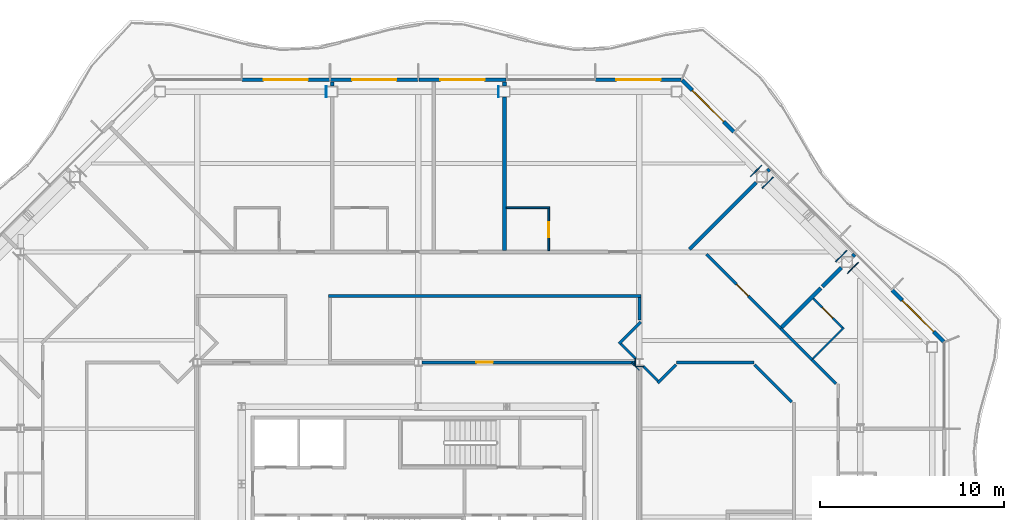
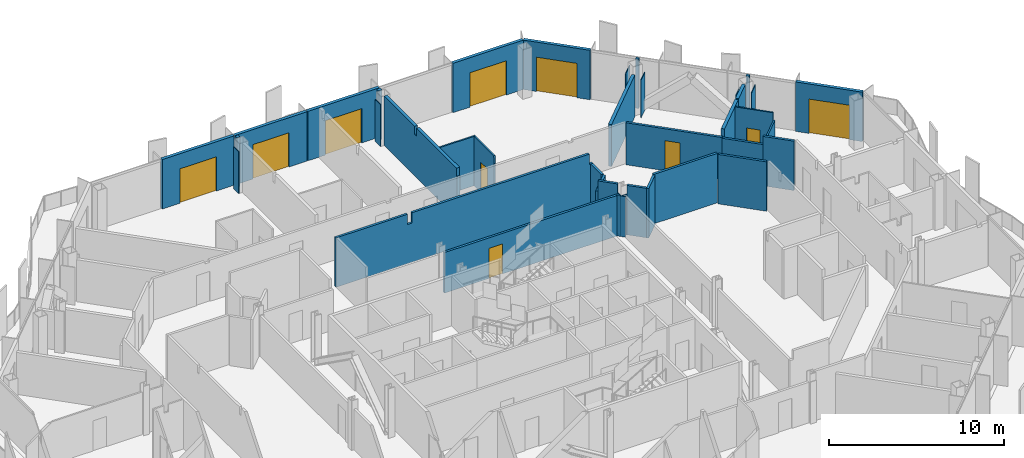
# One storey, part 13 of 21: 39 walls, 10 doors, 10 openings.
"""IFC4 building model written with IfcOpenShell, lengths in metres."""

from ifc_helpers import new_model, si_unit, direction, frame, frame_2d, origin, place, context, subcontext, project, spatial, polyline, rectangle, outline, extrude, material, layer, layer_set, type_object, element, fill, save


model = new_model("IFC4")

# Units and contexts
model_context = context("Model", 3, precision=1e-05, world=origin(), true_north=direction((0.0, 1.0)))
body_context = subcontext(model_context, "Body", "Model", "MODEL_VIEW")
ifc_project = project(units=[si_unit("LENGTHUNIT", "METRE"), si_unit("AREAUNIT", "SQUARE_METRE"), si_unit("VOLUMEUNIT", "CUBIC_METRE"), si_unit("PLANEANGLEUNIT", "RADIAN"), si_unit("MASSUNIT", "GRAM", prefix="KILO")], contexts=[model_context])

# Site, building, storey
site_placement = place(None, origin())
site = spatial("IfcSite", under=ifc_project, at=site_placement, CompositionType="ELEMENT")
building_placement = place(site_placement, origin())
building = spatial("IfcBuilding", under=site, at=building_placement, Name="Cairn Pilgrim Tower", CompositionType="ELEMENT")
storey_placement = place(building_placement, frame((0.0, 0.0, 157.800048828125)))
storey = spatial("IfcBuildingStorey", under=building, at=storey_placement, Name="L39", CompositionType="ELEMENT", Elevation=157.800048828125)

# Wall, opening, door
ifc_material_1 = material(Name="Bronze anodised aluminium insulated sandwich panel with mineral wool fill", Category="aluminium")
ifc_layer_1 = layer(ifc_material_1, 0.199951171875)
ifc_layer_set_1 = layer_set([ifc_layer_1], Name="BRONZE INFILL FRAME WALL 200")
wall_type_1 = type_object("IfcWallType", Name="BRONZE INFILL FRAME WALL 200", PredefinedType="NOTDEFINED", material=ifc_layer_set_1)
wall_1_placement = place(storey_placement, frame((35.7216796875, 14.32470703125, 0.0), z_axis=(0.0, 0.0, 1.0), x_axis=(-0.707106781187, 0.707106781187, 0.0)))
wall_1 = element("IfcWall", 1, at=wall_1_placement, inside=storey, type_object=wall_type_1, Name="Bronze infill frame wall IW-NE1", PredefinedType="NOTDEFINED", context=body_context, shape_type="SweptSolid", body=[
    extrude(rectangle(XDim=3.961669921875, YDim=0.199951171875, at=frame_2d((1.98095703125, 0.0))), origin(), (0.0, 0.0, 1.0), 3.449951171875),
])
opening_1_placement = place(wall_1_placement, frame((0.775390625, 0.0, 0.0)))
opening_1 = element("IfcOpeningElement", 2, at=opening_1_placement, cuts=wall_1, Name="Opening 3908B", PredefinedType="OPENING", context=body_context, shape_type="SweptSolid", body=[
    extrude(rectangle(XDim=2.39990234375, YDim=2.39990234375, at=frame_2d((1.199951171875, 1.199951171875))), frame((0.0, 0.10986328125, 0.0), z_axis=(0.0, -1.0, 0.0), x_axis=(1.0, 0.0, 0.0)), (0.0, 0.0, 1.0), 0.219970703125),
])
ifc_material_2 = material(Name="Bronze anodised aluminium frame with tinted low-E glass", Category="aluminium")
door_type_1 = type_object("IfcDoorType", Name="BALCONY SLIDING DOOR 2400x2400", OperationType="DOUBLE_DOOR_SLIDING", PredefinedType="DOOR", material=ifc_material_2)
door_1_placement = place(opening_1_placement, origin())
door_1 = element("IfcDoor", 3, at=door_1_placement, inside=storey, type_object=door_type_1, Name="Balcony sliding door 3908B", OperationType="SINGLE_SWING_LEFT", OverallHeight=2.39990234375, OverallWidth=2.39990234375, PredefinedType="DOOR", context=body_context, shape_type="SweptSolid", body=[
    extrude(rectangle(XDim=2.39990234375, YDim=2.39990234375, at=frame_2d((1.199951171875, 1.199951171875))), frame((0.0, 0.02490234375, 0.0), z_axis=(0.0, -1.0, 0.0), x_axis=(1.0, 0.0, 0.0)), (0.0, 0.0, 1.0), 0.050048828125),
])
fill(opening_1, door_1)

wall_2_placement = place(storey_placement, frame((24.325927734375, 25.720458984375, 0.0), z_axis=(0.0, 0.0, 1.0), x_axis=(-0.707106781187, 0.707106781187, 0.0)))
wall_2 = element("IfcWall", 4, at=wall_2_placement, inside=storey, type_object=wall_type_1, Name="Bronze infill frame wall IW-NE5", PredefinedType="NOTDEFINED", context=body_context, shape_type="SweptSolid", body=[
    extrude(rectangle(XDim=3.961669921875, YDim=0.199951171875, at=frame_2d((1.98095703125, 0.0))), origin(), (0.0, 0.0, 1.0), 3.449951171875),
])
opening_2_placement = place(wall_2_placement, frame((0.78564453125, 0.0, 0.0)))
opening_2 = element("IfcOpeningElement", 5, at=opening_2_placement, cuts=wall_2, Name="Opening 3910B", PredefinedType="OPENING", context=body_context, shape_type="SweptSolid", body=[
    extrude(rectangle(XDim=2.39990234375, YDim=2.39990234375, at=frame_2d((1.199951171875, 1.199951171875))), frame((0.0, 0.10986328125, 0.0), z_axis=(0.0, -1.0, 0.0), x_axis=(1.0, 0.0, 0.0)), (0.0, 0.0, 1.0), 0.219970703125),
])
door_2_placement = place(opening_2_placement, origin())
door_2 = element("IfcDoor", 6, at=door_2_placement, inside=storey, type_object=door_type_1, Name="Balcony sliding door 3910B", OperationType="SINGLE_SWING_LEFT", OverallHeight=2.39990234375, OverallWidth=2.39990234375, PredefinedType="DOOR", context=body_context, shape_type="SweptSolid", body=[
    extrude(rectangle(XDim=2.39990234375, YDim=2.39990234375, at=frame_2d((1.199951171875, 1.199951171875))), frame((0.0, 0.02490234375, 0.0), z_axis=(0.0, -1.0, 0.0), x_axis=(1.0, 0.0, 0.0)), (0.0, 0.0, 1.0), 0.050048828125),
])
fill(opening_2, door_2)

wall_3_placement = place(storey_placement, frame((21.45654296875, 28.550048828125, 0.0), z_axis=(0.0, 0.0, 1.0), x_axis=(-1.0, 0.0, 0.0)))
wall_3 = element("IfcWall", 7, at=wall_3_placement, inside=storey, type_object=wall_type_1, Name="Bronze infill frame wall IW-N1", PredefinedType="NOTDEFINED", context=body_context, shape_type="SweptSolid", body=[
    extrude(rectangle(XDim=4.62646484375, YDim=0.199951171875, at=frame_2d((2.313232421875, 0.0))), origin(), (0.0, 0.0, 1.0), 3.449951171875),
])
opening_3_placement = place(wall_3_placement, frame((1.1083984375, 0.0, 0.0)))
opening_3 = element("IfcOpeningElement", 8, at=opening_3_placement, cuts=wall_3, Name="Opening 3910B2", PredefinedType="OPENING", context=body_context, shape_type="SweptSolid", body=[
    extrude(rectangle(XDim=2.39990234375, YDim=2.39990234375, at=frame_2d((1.199951171875, 1.199951171875))), frame((0.0, 0.10986328125, 0.0), z_axis=(0.0, -1.0, 0.0), x_axis=(1.0, 0.0, 0.0)), (0.0, 0.0, 1.0), 0.219970703125),
])
door_3_placement = place(opening_3_placement, origin())
door_3 = element("IfcDoor", 9, at=door_3_placement, inside=storey, type_object=door_type_1, Name="Balcony sliding door 3910B2", OperationType="SINGLE_SWING_LEFT", OverallHeight=2.39990234375, OverallWidth=2.39990234375, PredefinedType="DOOR", context=body_context, shape_type="SweptSolid", body=[
    extrude(rectangle(XDim=2.39990234375, YDim=2.39990234375, at=frame_2d((1.199951171875, 1.199951171875))), frame((0.0, 0.02490234375, 0.0), z_axis=(0.0, -1.0, 0.0), x_axis=(1.0, 0.0, 0.0)), (0.0, 0.0, 1.0), 0.050048828125),
])
fill(opening_3, door_3)

wall_4_placement = place(storey_placement, frame((11.969970703125, 28.550048828125, 0.0), z_axis=(0.0, 0.0, 1.0), x_axis=(-1.0, 0.0, 0.0)))
wall_4 = element("IfcWall", 10, at=wall_4_placement, inside=storey, type_object=wall_type_1, Name="Bronze infill frame wall IW-N3", PredefinedType="NOTDEFINED", context=body_context, shape_type="SweptSolid", body=[
    extrude(rectangle(XDim=4.739990234375, YDim=0.199951171875, at=frame_2d((2.3701171875, 0.0))), origin(), (0.0, 0.0, 1.0), 3.449951171875),
])
opening_4_placement = place(wall_4_placement, frame((1.17041015625, 0.0, 0.0)))
opening_4 = element("IfcOpeningElement", 11, at=opening_4_placement, cuts=wall_4, Name="Opening 3911B", PredefinedType="OPENING", context=body_context, shape_type="SweptSolid", body=[
    extrude(rectangle(XDim=2.39990234375, YDim=2.39990234375, at=frame_2d((1.199951171875, 1.199951171875))), frame((0.0, 0.10986328125, 0.0), z_axis=(0.0, -1.0, 0.0), x_axis=(1.0, 0.0, 0.0)), (0.0, 0.0, 1.0), 0.219970703125),
])
door_4_placement = place(opening_4_placement, origin())
door_4 = element("IfcDoor", 12, at=door_4_placement, inside=storey, type_object=door_type_1, Name="Balcony sliding door 3911B", OperationType="SINGLE_SWING_LEFT", OverallHeight=2.39990234375, OverallWidth=2.39990234375, PredefinedType="DOOR", context=body_context, shape_type="SweptSolid", body=[
    extrude(rectangle(XDim=2.39990234375, YDim=2.39990234375, at=frame_2d((1.199951171875, 1.199951171875))), frame((0.0, 0.02490234375, 0.0), z_axis=(0.0, -1.0, 0.0), x_axis=(1.0, 0.0, 0.0)), (0.0, 0.0, 1.0), 0.050048828125),
])
fill(opening_4, door_4)

wall_5_placement = place(storey_placement, frame((7.169921875, 28.550048828125, 0.0), z_axis=(0.0, 0.0, 1.0), x_axis=(-1.0, 0.0, 0.0)))
wall_5 = element("IfcWall", 13, at=wall_5_placement, inside=storey, type_object=wall_type_1, Name="Bronze infill frame wall IW-N4", PredefinedType="NOTDEFINED", context=body_context, shape_type="SweptSolid", body=[
    extrude(rectangle(XDim=4.739990234375, YDim=0.199951171875, at=frame_2d((2.3701171875, 0.0))), origin(), (0.0, 0.0, 1.0), 3.449951171875),
])
opening_5_placement = place(wall_5_placement, frame((1.17041015625, 0.0, 0.0)))
opening_5 = element("IfcOpeningElement", 14, at=opening_5_placement, cuts=wall_5, Name="Opening 3912B", PredefinedType="OPENING", context=body_context, shape_type="SweptSolid", body=[
    extrude(rectangle(XDim=2.39990234375, YDim=2.39990234375, at=frame_2d((1.199951171875, 1.199951171875))), frame((0.0, 0.10986328125, 0.0), z_axis=(0.0, -1.0, 0.0), x_axis=(1.0, 0.0, 0.0)), (0.0, 0.0, 1.0), 0.219970703125),
])
door_5_placement = place(opening_5_placement, origin())
door_5 = element("IfcDoor", 15, at=door_5_placement, inside=storey, type_object=door_type_1, Name="Balcony sliding door 3912B", OperationType="SINGLE_SWING_LEFT", OverallHeight=2.39990234375, OverallWidth=2.39990234375, PredefinedType="DOOR", context=body_context, shape_type="SweptSolid", body=[
    extrude(rectangle(XDim=2.39990234375, YDim=2.39990234375, at=frame_2d((1.199951171875, 1.199951171875))), frame((0.0, 0.02490234375, 0.0), z_axis=(0.0, -1.0, 0.0), x_axis=(1.0, 0.0, 0.0)), (0.0, 0.0, 1.0), 0.050048828125),
])
fill(opening_5, door_5)

wall_6_placement = place(storey_placement, frame((2.3701171875, 28.550048828125, 0.0), z_axis=(0.0, 0.0, 1.0), x_axis=(-1.0, 0.0, 0.0)))
wall_6 = element("IfcWall", 16, at=wall_6_placement, inside=storey, type_object=wall_type_1, Name="Bronze infill frame wall IW-N5", PredefinedType="NOTDEFINED", context=body_context, shape_type="SweptSolid", body=[
    extrude(rectangle(XDim=4.740234375, YDim=0.199951171875, at=frame_2d((2.3701171875, 0.0))), origin(), (0.0, 0.0, 1.0), 3.449951171875),
])
opening_6_placement = place(wall_6_placement, frame((1.169677734375, 0.0, 0.0)))
opening_6 = element("IfcOpeningElement", 17, at=opening_6_placement, cuts=wall_6, Name="Opening 3913B", PredefinedType="OPENING", context=body_context, shape_type="SweptSolid", body=[
    extrude(rectangle(XDim=2.39990234375, YDim=2.39990234375, at=frame_2d((1.199951171875, 1.199951171875))), frame((0.0, 0.10986328125, 0.0), z_axis=(0.0, -1.0, 0.0), x_axis=(1.0, 0.0, 0.0)), (0.0, 0.0, 1.0), 0.219970703125),
])
door_6_placement = place(opening_6_placement, origin())
door_6 = element("IfcDoor", 18, at=door_6_placement, inside=storey, type_object=door_type_1, Name="Balcony sliding door 3913B", OperationType="SINGLE_SWING_LEFT", OverallHeight=2.39990234375, OverallWidth=2.39990234375, PredefinedType="DOOR", context=body_context, shape_type="SweptSolid", body=[
    extrude(rectangle(XDim=2.39990234375, YDim=2.39990234375, at=frame_2d((1.199951171875, 1.199951171875))), frame((0.0, 0.02490234375, 0.0), z_axis=(0.0, -1.0, 0.0), x_axis=(1.0, 0.0, 0.0)), (0.0, 0.0, 1.0), 0.050048828125),
])
fill(opening_6, door_6)

# Wall
ifc_material_3 = material(Name="Gypsum partition")
ifc_layer_2 = layer(ifc_material_3, 0.10009765625)
ifc_layer_set_2 = layer_set([ifc_layer_2], Name="PARTITION 100 DRYWALL")
wall_type_2 = type_object("IfcWallType", Name="PARTITION 100 DRYWALL", PredefinedType="PARTITIONING", material=ifc_layer_set_2)
wall_7_placement = place(storey_placement, frame((28.6201171875, 13.40087890625, 0.0), z_axis=(0.0, 0.0, 1.0), x_axis=(0.707055379538, 0.707158179099, 0.0)))
element("IfcWall", 19, at=wall_7_placement, inside=storey, type_object=wall_type_2, Name="PARTITION W085", PredefinedType="PARTITIONING", context=body_context, shape_type="SweptSolid", body=[
    extrude(rectangle(XDim=2.375, YDim=0.10009765625, at=frame_2d((1.1875, 0.0))), origin(), (0.0, 0.0, 1.0), 2.8798828125),
])

# Wall, opening, door
wall_8_placement = place(storey_placement, frame((30.228515625, 15.080322265625, 0.0), z_axis=(0.0, 0.0, 1.0), x_axis=(-0.707052524, 0.70716103421, 0.0)))
wall_8 = element("IfcWall", 20, at=wall_8_placement, inside=storey, type_object=wall_type_2, Name="PARTITION W091", PredefinedType="PARTITIONING", context=body_context, shape_type="SweptSolid", body=[
    extrude(rectangle(XDim=2.25, YDim=0.10009765625, at=frame_2d((1.125, 0.0))), origin(), (0.0, 0.0, 1.0), 3.449951171875),
])
opening_7_placement = place(wall_8_placement, frame((0.75, 0.0, 0.0)))
opening_7 = element("IfcOpeningElement", 21, at=opening_7_placement, cuts=wall_8, Name="Opening 3908A", PredefinedType="OPENING", context=body_context, shape_type="SweptSolid", body=[
    extrude(rectangle(XDim=0.800048828125, YDim=2.10009765625, at=frame_2d((0.39990234375, 1.050048828125))), frame((0.0, 0.06005859375, 0.0), z_axis=(0.0, -1.0, 0.0), x_axis=(1.0, 0.0, 0.0)), (0.0, 0.0, 1.0), 0.1201171875),
])
ifc_material_4 = material(Name="Timber door leaf", Category="wood")
door_type_2 = type_object("IfcDoorType", Name="WC DOOR 800x2100", OperationType="NOTDEFINED", PredefinedType="DOOR", material=ifc_material_4)
door_7_placement = place(opening_7_placement, frame((0.800048828125, 0.0, 0.0), z_axis=(0.0, 0.0, 1.0), x_axis=(-1.0, 0.0, 0.0)))
door_7 = element("IfcDoor", 22, at=door_7_placement, inside=storey, type_object=door_type_2, Name="DOOR 3908A", OperationType="SINGLE_SWING_LEFT", OverallHeight=2.10009765625, OverallWidth=0.800048828125, PredefinedType="DOOR", context=body_context, shape_type="SweptSolid", body=[
    extrude(rectangle(XDim=0.800048828125, YDim=2.10009765625, at=frame_2d((0.39990234375, 1.050048828125))), frame((0.0, 0.02490234375, 0.0), z_axis=(0.0, -1.0, 0.0), x_axis=(1.0, 0.0, 0.0)), (0.0, 0.0, 1.0), 0.050048828125),
])
fill(opening_7, door_7)

wall_9_placement = place(storey_placement, frame((14.27587890625, 19.27490234375, 0.0), z_axis=(0.0, 0.0, 1.0), x_axis=(0.0, 1.0, 0.0)))
wall_9 = element("IfcWall", 23, at=wall_9_placement, inside=storey, type_object=wall_type_2, Name="PARTITION W110", PredefinedType="PARTITIONING", context=body_context, shape_type="SweptSolid", body=[
    extrude(outline(polyline([(0.0, 0.0), (2.275146484375, 0.0), (2.27490234375, 3.449951171875), (0.030029296875, 3.449951171875), (0.028076171875, 2.8798828125), (0.0, 2.8798828125), (0.0, 0.0)])), frame((0.0, 0.050048828125, 0.0), z_axis=(0.0, -1.0, 0.0), x_axis=(1.0, 0.0, 0.0)), (0.0, 0.0, 1.0), 0.10009765625),
])
opening_8_placement = place(wall_9_placement, frame((0.72509765625, 0.0, 0.0)))
opening_8 = element("IfcOpeningElement", 24, at=opening_8_placement, cuts=wall_9, Name="Opening 3910A", PredefinedType="OPENING", context=body_context, shape_type="SweptSolid", body=[
    extrude(rectangle(XDim=0.800048828125, YDim=2.10009765625, at=frame_2d((0.39990234375, 1.050048828125))), frame((0.0, 0.06005859375, 0.0), z_axis=(0.0, -1.0, 0.0), x_axis=(1.0, 0.0, 0.0)), (0.0, 0.0, 1.0), 0.1201171875),
])
door_8_placement = place(opening_8_placement, frame((0.800048828125, 0.0, 0.0), z_axis=(0.0, 0.0, 1.0), x_axis=(-1.0, 0.0, 0.0)))
door_8 = element("IfcDoor", 25, at=door_8_placement, inside=storey, type_object=door_type_2, Name="DOOR 3910A", OperationType="SINGLE_SWING_RIGHT", OverallHeight=2.10009765625, OverallWidth=0.800048828125, PredefinedType="DOOR", context=body_context, shape_type="SweptSolid", body=[
    extrude(rectangle(XDim=0.800048828125, YDim=2.10009765625, at=frame_2d((0.39990234375, 1.050048828125))), frame((0.0, 0.02490234375, 0.0), z_axis=(0.0, -1.0, 0.0), x_axis=(1.0, 0.0, 0.0)), (0.0, 0.0, 1.0), 0.050048828125),
])
fill(opening_8, door_8)

# Walls
wall_10_placement = place(storey_placement, frame((11.97607421875, 21.60009765625, 0.0), z_axis=(0.0, 0.0, 1.0), x_axis=(1.0, 0.0, 0.0)))
element("IfcWall", 26, at=wall_10_placement, inside=storey, type_object=wall_type_2, Name="PARTITION W115", PredefinedType="PARTITIONING", context=body_context, shape_type="SweptSolid", body=[
    extrude(rectangle(XDim=2.349853515625, YDim=0.10009765625, at=frame_2d((1.1748046875, 0.0))), origin(), (0.0, 0.0, 1.0), 3.449951171875),
])
ifc_layer_3 = layer(ifc_material_3, 0.14990234375)
ifc_layer_set_3 = layer_set([ifc_layer_3], Name="PARTITION 150 DRYWALL EI 60")
wall_type_3 = type_object("IfcWallType", Name="PARTITION 150 DRYWALL EI 60", PredefinedType="PARTITIONING", material=ifc_layer_set_3)
wall_11_placement = place(storey_placement, frame((27.471923828125, 11.049072265625, 0.0), z_axis=(0.0, 0.0, 1.0), x_axis=(-0.707106781187, 0.707106781187, 0.0)))
element("IfcWall", 27, at=wall_11_placement, inside=storey, type_object=wall_type_3, Name="PARTITION W068", PredefinedType="PARTITIONING", context=body_context, shape_type="SweptSolid", body=[
    extrude(rectangle(XDim=2.86083984375, YDim=0.14990234375, at=frame_2d((1.430419921875, 0.0))), origin(), (0.0, 0.0, 1.0), 3.449951171875),
])
wall_12_placement = place(storey_placement, frame((29.8720703125, 12.04296875, 0.0), z_axis=(0.0, 0.0, 1.0), x_axis=(-0.707172918471, 0.707040637716, 0.0)))
element("IfcWall", 28, at=wall_12_placement, inside=storey, type_object=wall_type_3, Name="PARTITION W070", PredefinedType="PARTITIONING", context=body_context, shape_type="SweptSolid", body=[
    extrude(rectangle(XDim=1.845703125, YDim=0.14990234375, at=frame_2d((0.9228515625, 0.0))), origin(), (0.0, 0.0, 1.0), 3.449951171875),
])
wall_13_placement = place(storey_placement, frame((20.2080078125, 12.0859375, 0.0), z_axis=(0.0, 0.0, 1.0), x_axis=(0.706756381459, 0.707457007363, 0.0)))
element("IfcWall", 29, at=wall_13_placement, inside=storey, type_object=wall_type_3, Name="PARTITION W072", PredefinedType="PARTITIONING", context=body_context, shape_type="SweptSolid", body=[
    extrude(rectangle(XDim=1.393798828125, YDim=0.14990234375, at=frame_2d((0.69677734375, 0.0))), origin(), (0.0, 0.0, 1.0), 3.449951171875),
])
wall_14_placement = place(storey_placement, frame((20.2080078125, 12.192138671875, 0.0), z_axis=(0.0, 0.0, 1.0), x_axis=(-0.70721334539, 0.707000200921, 0.0)))
element("IfcWall", 30, at=wall_14_placement, inside=storey, type_object=wall_type_3, Name="PARTITION W074", PredefinedType="PARTITIONING", context=body_context, shape_type="SweptSolid", body=[
    extrude(rectangle(XDim=1.1455078125, YDim=0.14990234375, at=frame_2d((0.57275390625, 0.0))), origin(), (0.0, 0.0, 1.0), 3.449951171875),
])

# Wall, opening, door
wall_15_placement = place(storey_placement, frame((7.3994140625, 13.199951171875, 0.0), z_axis=(0.0, 0.0, 1.0), x_axis=(1.0, 0.0, 0.0)))
wall_15 = element("IfcWall", 31, at=wall_15_placement, inside=storey, type_object=wall_type_3, Name="PARTITION W078", PredefinedType="PARTITIONING", context=body_context, shape_type="SweptSolid", body=[
    extrude(rectangle(XDim=11.60107421875, YDim=0.14990234375, at=frame_2d((5.800537109375, 0.0))), origin(), (0.0, 0.0, 1.0), 2.829833984375),
])
opening_9_placement = place(wall_15_placement, frame((2.950439453125, 0.0, 0.0)))
opening_9 = element("IfcOpeningElement", 32, at=opening_9_placement, cuts=wall_15, Name="Opening 3927", PredefinedType="OPENING", context=body_context, shape_type="SweptSolid", body=[
    extrude(rectangle(XDim=0.89990234375, YDim=2.10009765625, at=frame_2d((0.449951171875, 1.050048828125))), frame((0.0, 0.0849609375, 0.0), z_axis=(0.0, -1.0, 0.0), x_axis=(1.0, 0.0, 0.0)), (0.0, 0.0, 1.0), 0.169921875),
])
door_type_3 = type_object("IfcDoorType", Name="SERVICE DOOR 900x2100 FD30S", OperationType="NOTDEFINED", PredefinedType="DOOR", material=ifc_material_4)
door_9_placement = place(opening_9_placement, origin())
door_9 = element("IfcDoor", 33, at=door_9_placement, inside=storey, type_object=door_type_3, Name="DOOR 3927", OperationType="SINGLE_SWING_LEFT", OverallHeight=2.10009765625, OverallWidth=0.89990234375, PredefinedType="DOOR", context=body_context, shape_type="SweptSolid", body=[
    extrude(rectangle(XDim=0.89990234375, YDim=2.10009765625, at=frame_2d((0.449951171875, 1.050048828125))), frame((0.0, 0.02490234375, 0.0), z_axis=(0.0, -1.0, 0.0), x_axis=(1.0, 0.0, 0.0)), (0.0, 0.0, 1.0), 0.050048828125),
])
fill(opening_9, door_9)

# Walls
wall_16_placement = place(storey_placement, frame((21.215087890625, 13.199951171875, 0.0), z_axis=(0.0, 0.0, 1.0), x_axis=(1.0, 0.0, 0.0)))
element("IfcWall", 34, at=wall_16_placement, inside=storey, type_object=wall_type_3, Name="PARTITION W079", PredefinedType="PARTITIONING", context=body_context, shape_type="SweptSolid", body=[
    extrude(rectangle(XDim=4.2119140625, YDim=0.14990234375, at=frame_2d((2.10595703125, 0.0))), origin(), (0.0, 0.0, 1.0), 3.449951171875),
])
wall_17_placement = place(storey_placement, frame((28.56689453125, 13.347900390625, 0.0), z_axis=(0.0, 0.0, 1.0), x_axis=(-0.707310148094, 0.706903355773, 0.0)))
element("IfcWall", 35, at=wall_17_placement, inside=storey, type_object=wall_type_3, Name="PARTITION W082", PredefinedType="PARTITIONING", context=body_context, shape_type="SweptSolid", body=[
    extrude(rectangle(XDim=2.400634765625, YDim=0.14990234375, at=frame_2d((1.2001953125, 0.0))), origin(), (0.0, 0.0, 1.0), 2.8798828125),
])
wall_18_placement = place(storey_placement, frame((19.001953125, 13.39794921875, 0.0), z_axis=(0.0, 0.0, 1.0), x_axis=(-0.707000200921, 0.70721334539, 0.0)))
element("IfcWall", 36, at=wall_18_placement, inside=storey, type_object=wall_type_3, Name="PARTITION W084", PredefinedType="PARTITIONING", context=body_context, shape_type="SweptSolid", body=[
    extrude(rectangle(XDim=1.1455078125, YDim=0.14990234375, at=frame_2d((0.57275390625, 0.0))), origin(), (0.0, 0.0, 1.0), 3.449951171875),
])
wall_19_placement = place(storey_placement, frame((18.0859375, 14.2080078125, 0.0), z_axis=(0.0, 0.0, 1.0), x_axis=(0.70739723372, 0.706816209298, 0.0)))
element("IfcWall", 37, at=wall_19_placement, inside=storey, type_object=wall_type_3, Name="PARTITION W087", PredefinedType="PARTITIONING", context=body_context, shape_type="SweptSolid", body=[
    extrude(rectangle(XDim=1.6806640625, YDim=0.14990234375, at=frame_2d((0.84033203125, 0.0))), origin(), (0.0, 0.0, 1.0), 2.72998046875),
])

# Wall, opening, door
wall_20_placement = place(storey_placement, frame((26.868896484375, 15.044921875, 0.0), z_axis=(0.0, 0.0, 1.0), x_axis=(-0.706999586952, 0.707213959174, 0.0)))
wall_20 = element("IfcWall", 38, at=wall_20_placement, inside=storey, type_object=wall_type_3, Name="PARTITION W089", PredefinedType="PARTITIONING", context=body_context, shape_type="SweptSolid", body=[
    extrude(rectangle(XDim=5.6943359375, YDim=0.14990234375, at=frame_2d((2.84716796875, 0.0))), origin(), (0.0, 0.0, 1.0), 2.929931640625),
])
opening_10_placement = place(wall_20_placement, frame((2.4873046875, 0.0, 0.0)))
opening_10 = element("IfcOpeningElement", 39, at=opening_10_placement, cuts=wall_20, Name="Opening 3909", PredefinedType="OPENING", context=body_context, shape_type="SweptSolid", body=[
    extrude(rectangle(XDim=0.89990234375, YDim=2.10009765625, at=frame_2d((0.449951171875, 1.050048828125))), frame((0.0, 0.0849609375, 0.0), z_axis=(0.0, -1.0, 0.0), x_axis=(1.0, 0.0, 0.0)), (0.0, 0.0, 1.0), 0.169921875),
])
door_10_placement = place(opening_10_placement, frame((0.89990234375, 0.0, 0.0), z_axis=(0.0, 0.0, 1.0), x_axis=(-1.0, 0.0, 0.0)))
door_10 = element("IfcDoor", 40, at=door_10_placement, inside=storey, type_object=door_type_3, Name="DOOR 3909", OperationType="SINGLE_SWING_LEFT", OverallHeight=2.10009765625, OverallWidth=0.89990234375, PredefinedType="DOOR", context=body_context, shape_type="SweptSolid", body=[
    extrude(rectangle(XDim=0.89990234375, YDim=2.10009765625, at=frame_2d((0.449951171875, 1.050048828125))), frame((0.0, 0.02490234375, 0.0), z_axis=(0.0, -1.0, 0.0), x_axis=(1.0, 0.0, 0.0)), (0.0, 0.0, 1.0), 0.050048828125),
])
fill(opening_10, door_10)

# Walls
wall_21_placement = place(storey_placement, frame((19.199951171875, 15.501953125, 0.0), z_axis=(0.0, 0.0, 1.0), x_axis=(0.0, 1.0, 0.0)))
element("IfcWall", 41, at=wall_21_placement, inside=storey, type_object=wall_type_3, Name="PARTITION W093", PredefinedType="PARTITIONING", context=body_context, shape_type="SweptSolid", body=[
    extrude(rectangle(XDim=1.22314453125, YDim=0.14990234375, at=frame_2d((0.611572265625, 0.0))), origin(), (0.0, 0.0, 1.0), 2.72998046875),
])
wall_22_placement = place(storey_placement, frame((2.324951171875, 16.800048828125, 0.0), z_axis=(0.0, 0.0, 1.0), x_axis=(1.0, 0.0, 0.0)))
element("IfcWall", 42, at=wall_22_placement, inside=storey, type_object=wall_type_3, Name="PARTITION W097", PredefinedType="PARTITIONING", context=body_context, shape_type="SweptSolid", body=[
    extrude(outline(polyline([(0.0, 0.0), (16.949951171875, 0.0), (16.949951171875, 2.72998046875), (16.72509765625, 2.72998046875), (16.722900390625, 3.449951171875), (5.02490234375, 3.449951171875), (5.02294921875, 2.72998046875), (4.72509765625, 2.72998046875), (4.722900390625, 3.449951171875), (0.0, 3.449951171875), (0.0, 0.0)])), frame((0.0, 0.074951171875, 0.0), z_axis=(0.0, -1.0, 0.0), x_axis=(1.0, 0.0, 0.0)), (0.0, 0.0, 1.0), 0.14990234375),
])
ifc_layer_4 = layer(ifc_material_3, 0.050048828125)
ifc_layer_set_4 = layer_set([ifc_layer_4], Name="PARTITION 50 DRYWALL EI 60")
wall_type_4 = type_object("IfcWallType", Name="PARTITION 50 DRYWALL EI 60", PredefinedType="PARTITIONING", material=ifc_layer_set_4)
wall_23_placement = place(storey_placement, frame((18.9755859375, 13.00341796875, 0.0), z_axis=(0.0, 0.0, 1.0), x_axis=(0.0, 1.0, 0.0)))
element("IfcWall", 43, at=wall_23_placement, inside=storey, type_object=wall_type_4, Name="COLUMN CASING WC16", PredefinedType="PARTITIONING", context=body_context, shape_type="SweptSolid", body=[
    extrude(rectangle(XDim=0.39306640625, YDim=0.050048828125, at=frame_2d((0.196533203125, 0.0))), origin(), (0.0, 0.0, 1.0), 2.829833984375),
])
wall_24_placement = place(storey_placement, frame((19.182373046875, 12.786376953125, 0.0), z_axis=(0.0, 0.0, 1.0), x_axis=(-0.707106781187, 0.707106781187, 0.0)))
element("IfcWall", 44, at=wall_24_placement, inside=storey, type_object=wall_type_4, Name="COLUMN CASING WC24", PredefinedType="PARTITIONING", context=body_context, shape_type="SweptSolid", body=[
    extrude(rectangle(XDim=0.56005859375, YDim=0.050048828125, at=frame_2d((0.280029296875, 0.0))), origin(), (0.0, 0.0, 1.0), 2.829833984375),
])
wall_25_placement = place(storey_placement, frame((19.00048828125, 12.978515625, 0.0), z_axis=(0.0, 0.0, 1.0), x_axis=(1.0, 0.0, 0.0)))
element("IfcWall", 45, at=wall_25_placement, inside=storey, type_object=wall_type_4, Name="COLUMN CASING WC27", PredefinedType="PARTITIONING", context=body_context, shape_type="SweptSolid", body=[
    extrude(rectangle(XDim=0.39892578125, YDim=0.050048828125, at=frame_2d((0.199462890625, 0.0))), origin(), (0.0, 0.0, 1.0), 2.829833984375),
])
wall_26_placement = place(storey_placement, frame((29.85791015625, 18.669189453125, 0.0), z_axis=(0.0, 0.0, 1.0), x_axis=(0.707106781187, 0.707106781187, 0.0)))
element("IfcWall", 46, at=wall_26_placement, inside=storey, type_object=wall_type_4, Name="COLUMN CASING WC29", PredefinedType="PARTITIONING", context=body_context, shape_type="SweptSolid", body=[
    extrude(rectangle(XDim=0.8486328125, YDim=0.050048828125, at=frame_2d((0.42431640625, 0.0))), origin(), (0.0, 0.0, 1.0), 2.6298828125),
])
wall_27_placement = place(storey_placement, frame((30.493408203125, 18.03369140625, 0.0), z_axis=(0.0, 0.0, 1.0), x_axis=(0.707106781187, 0.707106781187, 0.0)))
element("IfcWall", 47, at=wall_27_placement, inside=storey, type_object=wall_type_4, Name="COLUMN CASING WC30", PredefinedType="PARTITIONING", context=body_context, shape_type="SweptSolid", body=[
    extrude(rectangle(XDim=0.8486328125, YDim=0.050048828125, at=frame_2d((0.42431640625, 0.0))), origin(), (0.0, 0.0, 1.0), 2.929931640625),
])
for number, where, z_axis, x_axis, name in (
    (48, (2.19921875, 27.60009765625, 0.0), (0.0, 0.0, 1.0), (0.0, 1.0, 0.0), "COLUMN CASING WC33"),
    (49, (11.55078125, 27.60009765625, 0.0), (0.0, 0.0, 1.0), (0.0, 1.0, 0.0), "COLUMN CASING WC34"),
):
    element("IfcWall", number, at=place(storey_placement, frame(where, z_axis=z_axis, x_axis=x_axis)), inside=storey, type_object=wall_type_4, Name=name, PredefinedType="PARTITIONING", context=body_context, shape_type="SweptSolid", body=[
        extrude(rectangle(XDim=0.599853515625, YDim=0.050048828125, at=frame_2d((0.2998046875, 0.0))), origin(), (0.0, 0.0, 1.0), 2.929931640625),
    ])
wall_28_placement = place(storey_placement, frame((25.23388671875, 23.29345703125, 0.0), z_axis=(0.0, 0.0, 1.0), x_axis=(0.707106781187, 0.707106781187, 0.0)))
element("IfcWall", 50, at=wall_28_placement, inside=storey, type_object=wall_type_4, Name="COLUMN CASING WC35", PredefinedType="PARTITIONING", context=body_context, shape_type="SweptSolid", body=[
    extrude(rectangle(XDim=0.848388671875, YDim=0.050048828125, at=frame_2d((0.42431640625, 0.0))), origin(), (0.0, 0.0, 1.0), 2.929931640625),
])
wall_29_placement = place(storey_placement, frame((25.869140625, 22.657958984375, 0.0), z_axis=(0.0, 0.0, 1.0), x_axis=(0.707106781187, 0.707106781187, 0.0)))
element("IfcWall", 51, at=wall_29_placement, inside=storey, type_object=wall_type_4, Name="COLUMN CASING WC36", PredefinedType="PARTITIONING", context=body_context, shape_type="SweptSolid", body=[
    extrude(rectangle(XDim=0.8486328125, YDim=0.050048828125, at=frame_2d((0.42431640625, 0.0))), origin(), (0.0, 0.0, 1.0), 2.6298828125),
])
ifc_layer_5 = layer(ifc_material_3, 0.199951171875)
ifc_layer_set_5 = layer_set([ifc_layer_5], Name="SHAFT WALL 200 GYPSUM EI 60")
wall_type_5 = type_object("IfcWallType", Name="SHAFT WALL 200 GYPSUM EI 60", PredefinedType="PARTITIONING", material=ifc_layer_set_5)
wall_30_placement = place(storey_placement, frame((26.922119140625, 15.097900390625, 0.0), z_axis=(0.0, 0.0, 1.0), x_axis=(0.707268147401, 0.706945378138, 0.0)))
element("IfcWall", 52, at=wall_30_placement, inside=storey, type_object=wall_type_5, Name="PARTITION W090", PredefinedType="PARTITIONING", context=body_context, shape_type="SweptSolid", body=[
    extrude(rectangle(XDim=3.025634765625, YDim=0.199951171875, at=frame_2d((1.5126953125, 0.0))), origin(), (0.0, 0.0, 1.0), 3.449951171875),
])
wall_31_placement = place(storey_placement, frame((29.132568359375, 17.307861328125, 0.0), z_axis=(0.0, 0.0, 1.0), x_axis=(0.707024044771, 0.707189507922, 0.0)))
element("IfcWall", 53, at=wall_31_placement, inside=storey, type_object=wall_type_5, Name="PARTITION W098", PredefinedType="PARTITIONING", context=body_context, shape_type="SweptSolid", body=[
    extrude(rectangle(XDim=1.4755859375, YDim=0.199951171875, at=frame_2d((0.73779296875, 0.0))), origin(), (0.0, 0.0, 1.0), 3.449951171875),
])
wall_32_placement = place(storey_placement, frame((30.775634765625, 18.951416015625, 0.0), z_axis=(0.0, 0.0, 1.0), x_axis=(0.706370595651, 0.707842201059, 0.0)))
element("IfcWall", 54, at=wall_32_placement, inside=storey, type_object=wall_type_5, Name="PARTITION W100", PredefinedType="PARTITIONING", context=body_context, shape_type="SweptSolid", body=[
    extrude(rectangle(XDim=0.166015625, YDim=0.199951171875, at=frame_2d((0.0830078125, 0.0))), origin(), (0.0, 0.0, 1.0), 3.449951171875),
])
wall_33_placement = place(storey_placement, frame((11.8759765625, 19.27490234375, 0.0), z_axis=(0.0, 0.0, 1.0), x_axis=(0.0, 1.0, 0.0)))
element("IfcWall", 55, at=wall_33_placement, inside=storey, type_object=wall_type_5, Name="PARTITION W109", PredefinedType="PARTITIONING", context=body_context, shape_type="SweptSolid", body=[
    extrude(outline(polyline([(0.0, 0.0), (8.3251953125, 0.0), (8.324951171875, 3.449951171875), (4.830078125, 3.449951171875), (4.827880859375, 2.8798828125), (4.6201171875, 2.8798828125), (4.617919921875, 3.449951171875), (0.030029296875, 3.449951171875), (0.028076171875, 2.8798828125), (0.0, 2.8798828125), (0.0, 0.0)])), frame((0.0, 0.10009765625, 0.0), z_axis=(0.0, -1.0, 0.0), x_axis=(1.0, 0.0, 0.0)), (0.0, 0.0, 1.0), 0.199951171875),
])
wall_34_placement = place(storey_placement, frame((21.921630859375, 19.345703125, 0.0), z_axis=(0.0, 0.0, 1.0), x_axis=(0.707106781187, 0.707106781187, 0.0)))
element("IfcWall", 56, at=wall_34_placement, inside=storey, type_object=wall_type_5, Name="PARTITION W111", PredefinedType="PARTITIONING", context=body_context, shape_type="SweptSolid", body=[
    extrude(rectangle(XDim=5.133544921875, YDim=0.199951171875, at=frame_2d((2.56689453125, 0.0))), origin(), (0.0, 0.0, 1.0), 2.929931640625),
])
wall_35_placement = place(storey_placement, frame((26.151611328125, 23.57568359375, 0.0), z_axis=(0.0, 0.0, 1.0), x_axis=(0.707106781187, 0.707106781187, 0.0)))
element("IfcWall", 57, at=wall_35_placement, inside=storey, type_object=wall_type_5, Name="PARTITION W117", PredefinedType="PARTITIONING", context=body_context, shape_type="SweptSolid", body=[
    extrude(rectangle(XDim=0.165771484375, YDim=0.199951171875, at=frame_2d((0.0830078125, 0.0))), origin(), (0.0, 0.0, 1.0), 3.449951171875),
])
for number, where, z_axis, x_axis, name in (
    (58, (2.52392578125, 28.199951171875, 0.0), (0.0, 0.0, 1.0), (0.0, 1.0, 0.0), "PARTITION W118"),
    (59, (11.8759765625, 28.199951171875, 0.0), (0.0, 0.0, 1.0), (0.0, 1.0, 0.0), "PARTITION W119"),
):
    element("IfcWall", number, at=place(storey_placement, frame(where, z_axis=z_axis, x_axis=x_axis)), inside=storey, type_object=wall_type_5, Name=name, PredefinedType="PARTITIONING", context=body_context, shape_type="SweptSolid", body=[
        extrude(rectangle(XDim=0.219970703125, YDim=0.199951171875, at=frame_2d((0.10986328125, 0.0))), origin(), (0.0, 0.0, 1.0), 3.449951171875),
    ])

save(model, "model.ifc")
